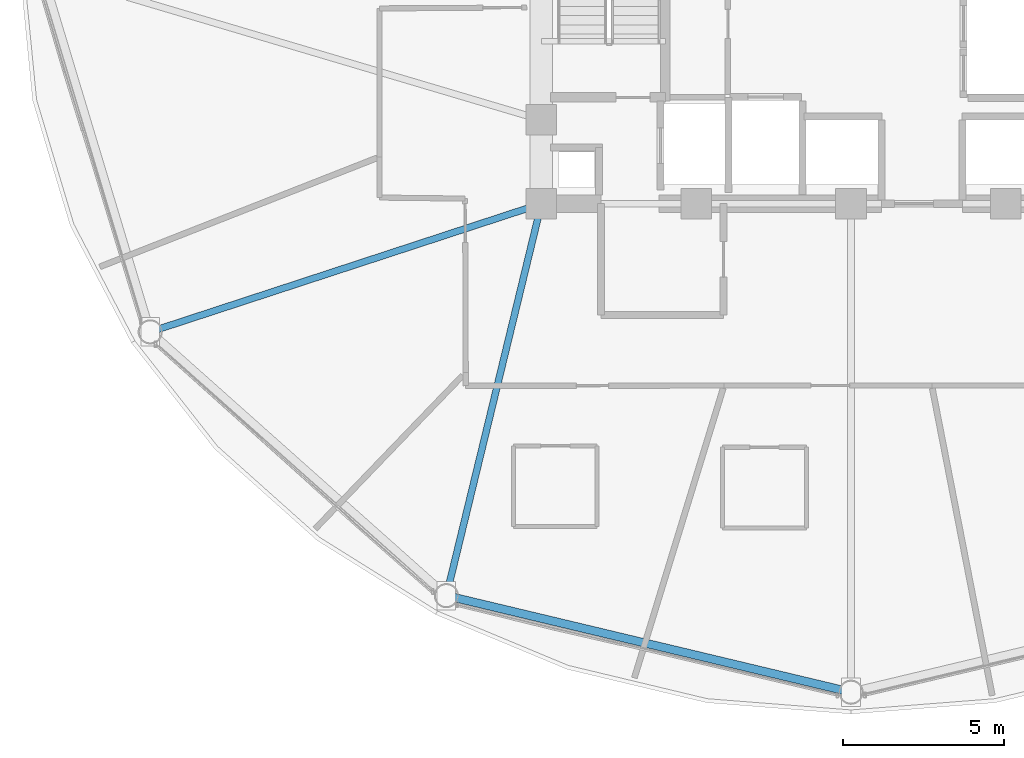
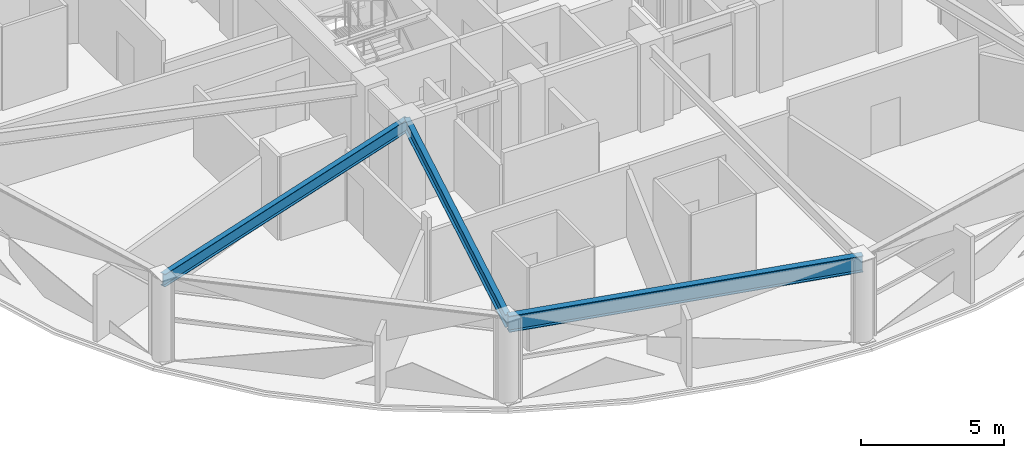
# One storey, part 4 of 30: 3 beams.
"""IFC4 building model written with IfcOpenShell, lengths in metres."""

from ifc_helpers import new_model, si_unit, direction, frame, origin, origin_2d, place, context, subcontext, project, spatial, i_section, extrude, material, material_profile, profile_set, type_object, element, save


model = new_model("IFC4")

# Units and contexts
model_context = context("Model", 3, precision=1e-05, world=origin(), true_north=direction((0.0, 1.0)))
body_context = subcontext(model_context, "Body", "Model", "MODEL_VIEW")
ifc_project = project(units=[si_unit("LENGTHUNIT", "METRE"), si_unit("AREAUNIT", "SQUARE_METRE"), si_unit("VOLUMEUNIT", "CUBIC_METRE"), si_unit("PLANEANGLEUNIT", "RADIAN"), si_unit("MASSUNIT", "GRAM", prefix="KILO")], contexts=[model_context])

# Site, building, storey
site_placement = place(None, origin())
site = spatial("IfcSite", under=ifc_project, at=site_placement, CompositionType="ELEMENT")
building_placement = place(site_placement, origin())
building = spatial("IfcBuilding", under=site, at=building_placement, Name="Vantalir Tower", CompositionType="ELEMENT")
storey_placement = place(building_placement, frame((0.0, 0.0, 130.949951171875)))
storey = spatial("IfcBuildingStorey", under=building, at=storey_placement, Name="L32", CompositionType="ELEMENT", Elevation=130.949951171875)

# Beams
ifc_material_1 = material(Name="Steel S355", Category="steel")
ifc_material_profile_1 = material_profile(ifc_material_1, i_section(OverallWidth=0.2109375, OverallDepth=0.5390625, WebThickness=0.01171875, FlangeThickness=0.018798828125, at=origin_2d()), Name="Steel S355")
ifc_profile_set_1 = profile_set([ifc_material_profile_1], Name="Steel S355")
beam_type_1 = type_object("IfcBeamType", Name="BM-RB-533x210", PredefinedType="BEAM", material=ifc_profile_set_1)
beam_1_placement = place(storey_placement, frame((9.76904296875, 13.826904296875, 3.301025390625), z_axis=(0.950326586156, 0.311254525501, 0.0), x_axis=(-0.311254525501, 0.950326586156, 0.0)))
element("IfcBeam", 1, at=beam_1_placement, inside=storey, type_object=beam_type_1, Name="L32 Radial Floor Beam 08", PredefinedType="BEAM", context=body_context, shape_type="SweptSolid", body=[
    extrude(i_section(OverallWidth=0.2109375, OverallDepth=0.5390625, WebThickness=0.01171875, FlangeThickness=0.018798828125, at=origin_2d()), origin(), (0.0, 0.0, 1.0), 12.764892578125),
])
beam_2_placement = place(storey_placement, frame((18.952880859375, 5.64892578125, 3.301025390625), z_axis=(0.235697823561, 0.971826391887, 0.0), x_axis=(-0.971826391887, 0.235697823561, 0.0)))
element("IfcBeam", 2, at=beam_2_placement, inside=storey, type_object=beam_type_1, Name="L32 Radial Floor Beam 09", PredefinedType="BEAM", context=body_context, shape_type="SweptSolid", body=[
    extrude(i_section(OverallWidth=0.2109375, OverallDepth=0.5390625, WebThickness=0.01171875, FlangeThickness=0.018798828125, at=origin_2d()), origin(), (0.0, 0.0, 1.0), 12.50341796875),
])
ifc_material_2 = material(Name="Steel S460", Category="steel")
ifc_material_profile_2 = material_profile(ifc_material_2, i_section(OverallWidth=0.256103515625, OverallDepth=0.693115234375, WebThickness=0.014404296875, FlangeThickness=0.023681640625, at=origin_2d()), Name="Steel S460")
ifc_profile_set_2 = profile_set([ifc_material_profile_2], Name="Steel S460")
beam_type_2 = type_object("IfcBeamType", Name="BM-RG-686x254", PredefinedType="USERDEFINED", material=ifc_profile_set_2)
beam_3_placement = place(storey_placement, frame((18.952880859375, 5.64892578125, 3.22412109375), z_axis=(0.972692782587, -0.232096425444, 0.0), x_axis=(0.232096425444, 0.972692782587, 0.0)))
element("IfcBeam", 3, at=beam_3_placement, inside=storey, type_object=beam_type_2, Name="L32 Circumferential Ring Girder 09", ObjectType="GIRDER", PredefinedType="USERDEFINED", context=body_context, shape_type="SweptSolid", body=[
    extrude(i_section(OverallWidth=0.256103515625, OverallDepth=0.693115234375, WebThickness=0.014404296875, FlangeThickness=0.023681640625, at=origin_2d()), origin(), (0.0, 0.0, 1.0), 12.8994140625),
])

save(model, "model.ifc")
